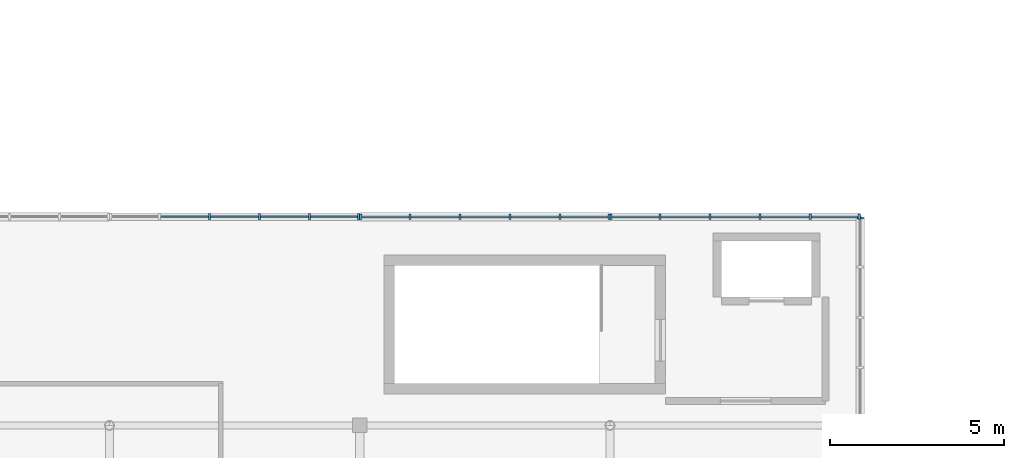
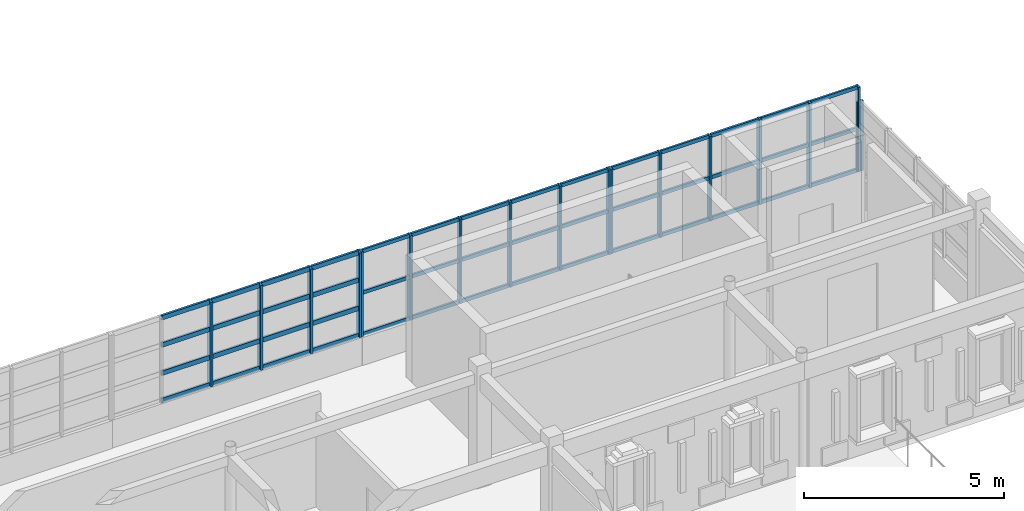
# One storey, part 13 of 46: 63 members, 4 elements without a shape of their own.
"""IFC4 building model written with IfcOpenShell, lengths in metres."""

from ifc_helpers import new_model, si_unit, direction, frame, origin, origin_2d, place, context, subcontext, project, spatial, rectangle, extrude, material, material_profile, profile_set, type_object, element, aggregate, save


model = new_model("IFC4")

# Units and contexts
model_context = context("Model", 3, precision=1e-05, world=origin(), true_north=direction((0.0, 1.0)))
body_context = subcontext(model_context, "Body", "Model", "MODEL_VIEW")
ifc_project = project(units=[si_unit("LENGTHUNIT", "METRE"), si_unit("AREAUNIT", "SQUARE_METRE"), si_unit("VOLUMEUNIT", "CUBIC_METRE"), si_unit("PLANEANGLEUNIT", "RADIAN"), si_unit("MASSUNIT", "GRAM", prefix="KILO")], contexts=[model_context])

# Site, building, storey
site_placement = place(None, origin())
site = spatial("IfcSite", under=ifc_project, at=site_placement, CompositionType="ELEMENT")
building_placement = place(site_placement, origin())
building = spatial("IfcBuilding", under=site, at=building_placement, Name="Nzembalo Square Collegiate School", CompositionType="ELEMENT")
storey_placement = place(building_placement, frame((0.0, 0.0, 17.340087890625)))
storey = spatial("IfcBuildingStorey", under=building, at=storey_placement, Name="L04", CompositionType="ELEMENT", Elevation=17.340087890625)

# Curtain wall, members
ifc_material_1 = material(Name="Aluminium 6060-T66", Category="aluminium")
curtain_wall_type_1 = type_object("IfcCurtainWallType", Name="CW-10", PredefinedType="USERDEFINED", material=ifc_material_1)
curtain_wall_1_placement = place(storey_placement, origin())
curtain_wall_1 = element("IfcCurtainWall", 1, at=curtain_wall_1_placement, inside=storey, type_object=curtain_wall_type_1, Name="Curtain wall CW-10 cw:L04:149", ObjectType="UNITISED", PredefinedType="USERDEFINED")
ifc_material_2 = material(Name="Aluminium 6060-T66", Category="aluminium")
ifc_material_profile_1 = material_profile(ifc_material_2, rectangle(XDim=0.06005859375, YDim=0.179931640625, at=origin_2d()), Name="ALU M60x180")
ifc_profile_set_1 = profile_set([ifc_material_profile_1], Name="Aluminium 6060-T66")
member_type_1 = type_object("IfcMemberType", Name="ML01", PredefinedType="MULLION", material=ifc_profile_set_1)
member_1_placement = place(storey_placement, frame((18.47998046875, 88.800048828125, 0.849853515625), z_axis=(0.0, 0.0, 1.0), x_axis=(1.0, 0.0, 0.0)))
member_1 = element("IfcMember", 2, at=member_1_placement, type_object=member_type_1, Name="ML01 mullion 3", PredefinedType="MULLION", context=body_context, shape_type="SweptSolid", body=[
    extrude(rectangle(XDim=0.06005859375, YDim=0.179931640625, at=origin_2d()), origin(), (0.0, 0.0, 1.0), 2.583984375),
])
member_2_placement = place(storey_placement, frame((19.919921875, 88.800048828125, 0.849853515625), z_axis=(0.0, 0.0, 1.0), x_axis=(1.0, 0.0, 0.0)))
member_2 = element("IfcMember", 3, at=member_2_placement, type_object=member_type_1, Name="ML01 mullion 4", PredefinedType="MULLION", context=body_context, shape_type="SweptSolid", body=[
    extrude(rectangle(XDim=0.06005859375, YDim=0.179931640625, at=origin_2d()), origin(), (0.0, 0.0, 1.0), 2.583984375),
])
member_3_placement = place(storey_placement, frame((21.360107421875, 88.800048828125, 0.849853515625), z_axis=(0.0, 0.0, 1.0), x_axis=(1.0, 0.0, 0.0)))
member_3 = element("IfcMember", 4, at=member_3_placement, type_object=member_type_1, Name="ML01 mullion 5", PredefinedType="MULLION", context=body_context, shape_type="SweptSolid", body=[
    extrude(rectangle(XDim=0.06005859375, YDim=0.179931640625, at=origin_2d()), origin(), (0.0, 0.0, 1.0), 2.583984375),
])
member_4_placement = place(storey_placement, frame((22.77001953125, 88.800048828125, 0.849853515625), z_axis=(0.0, 0.0, 1.0), x_axis=(1.0, 0.0, 0.0)))
member_4 = element("IfcMember", 5, at=member_4_placement, type_object=member_type_1, Name="ML01 mullion 6", PredefinedType="MULLION", context=body_context, shape_type="SweptSolid", body=[
    extrude(rectangle(XDim=0.06005859375, YDim=0.179931640625, at=origin_2d()), origin(), (0.0, 0.0, 1.0), 2.583984375),
])

# Curtain wall, member
ifc_material_3 = material(Name="Aluminium 6060-T66", Category="aluminium")
curtain_wall_type_2 = type_object("IfcCurtainWallType", Name="CW-01", PredefinedType="USERDEFINED", material=ifc_material_3)
curtain_wall_2_placement = place(storey_placement, origin())
curtain_wall_2 = element("IfcCurtainWall", 6, at=curtain_wall_2_placement, inside=storey, type_object=curtain_wall_type_2, Name="Curtain wall CW-01 cw:L04:152", ObjectType="UNITISED", PredefinedType="USERDEFINED")
member_5_placement = place(storey_placement, frame((37.199951171875, 88.77001953125, 0.849853515625), z_axis=(0.0, 0.0, 1.0), x_axis=(0.0, 1.0, 0.0)))
member_5 = element("IfcMember", 7, at=member_5_placement, type_object=member_type_1, Name="ML01 mullion 5", PredefinedType="MULLION", context=body_context, shape_type="SweptSolid", body=[
    extrude(rectangle(XDim=0.06005859375, YDim=0.179931640625, at=origin_2d()), origin(), (0.0, 0.0, 1.0), 2.129150390625),
])
aggregate(curtain_wall_2, [member_5])

# Curtain wall, members
ifc_material_4 = material(Name="Aluminium 6060-T66", Category="aluminium")
curtain_wall_type_3 = type_object("IfcCurtainWallType", Name="CW-11", PredefinedType="USERDEFINED", material=ifc_material_4)
curtain_wall_3_placement = place(storey_placement, origin())
curtain_wall_3 = element("IfcCurtainWall", 8, at=curtain_wall_3_placement, inside=storey, type_object=curtain_wall_type_3, Name="Curtain wall CW-11 cw:L04:150", ObjectType="LANCET", PredefinedType="USERDEFINED")
ifc_material_5 = material(Name="Aluminium 6060-T66", Category="aluminium")
ifc_material_profile_2 = material_profile(ifc_material_5, rectangle(XDim=0.06005859375, YDim=0.14990234375, at=origin_2d()), Name="ALU M60x150")
ifc_profile_set_2 = profile_set([ifc_material_profile_2], Name="Aluminium 6060-T66")
member_type_2 = type_object("IfcMemberType", Name="ML02", PredefinedType="MULLION", material=ifc_profile_set_2)
member_6_placement = place(storey_placement, frame((22.830078125, 88.800048828125, 0.849853515625), z_axis=(0.0, 0.0, 1.0), x_axis=(1.0, 0.0, 0.0)))
member_6 = element("IfcMember", 9, at=member_6_placement, type_object=member_type_2, Name="ML02 mullion 1", PredefinedType="MULLION", context=body_context, shape_type="SweptSolid", body=[
    extrude(rectangle(XDim=0.06005859375, YDim=0.14990234375, at=origin_2d()), origin(), (0.0, 0.0, 1.0), 2.583984375),
])
member_7_placement = place(storey_placement, frame((24.239990234375, 88.800048828125, 0.849853515625), z_axis=(0.0, 0.0, 1.0), x_axis=(1.0, 0.0, 0.0)))
member_7 = element("IfcMember", 10, at=member_7_placement, type_object=member_type_2, Name="ML02 mullion 2", PredefinedType="MULLION", context=body_context, shape_type="SweptSolid", body=[
    extrude(rectangle(XDim=0.06005859375, YDim=0.14990234375, at=origin_2d()), origin(), (0.0, 0.0, 1.0), 2.583984375),
])
member_8_placement = place(storey_placement, frame((25.679931640625, 88.800048828125, 0.849853515625), z_axis=(0.0, 0.0, 1.0), x_axis=(1.0, 0.0, 0.0)))
member_8 = element("IfcMember", 11, at=member_8_placement, type_object=member_type_2, Name="ML02 mullion 3", PredefinedType="MULLION", context=body_context, shape_type="SweptSolid", body=[
    extrude(rectangle(XDim=0.06005859375, YDim=0.14990234375, at=origin_2d()), origin(), (0.0, 0.0, 1.0), 2.583984375),
])
member_9_placement = place(storey_placement, frame((27.1201171875, 88.800048828125, 0.849853515625), z_axis=(0.0, 0.0, 1.0), x_axis=(1.0, 0.0, 0.0)))
member_9 = element("IfcMember", 12, at=member_9_placement, type_object=member_type_2, Name="ML02 mullion 4", PredefinedType="MULLION", context=body_context, shape_type="SweptSolid", body=[
    extrude(rectangle(XDim=0.06005859375, YDim=0.14990234375, at=origin_2d()), origin(), (0.0, 0.0, 1.0), 2.583984375),
])
member_10_placement = place(storey_placement, frame((28.56005859375, 88.800048828125, 0.849853515625), z_axis=(0.0, 0.0, 1.0), x_axis=(1.0, 0.0, 0.0)))
member_10 = element("IfcMember", 13, at=member_10_placement, type_object=member_type_2, Name="ML02 mullion 5", PredefinedType="MULLION", context=body_context, shape_type="SweptSolid", body=[
    extrude(rectangle(XDim=0.06005859375, YDim=0.14990234375, at=origin_2d()), origin(), (0.0, 0.0, 1.0), 2.583984375),
])
member_11_placement = place(storey_placement, frame((29.969970703125, 88.800048828125, 0.849853515625), z_axis=(0.0, 0.0, 1.0), x_axis=(1.0, 0.0, 0.0)))
member_11 = element("IfcMember", 14, at=member_11_placement, type_object=member_type_2, Name="ML02 mullion 6", PredefinedType="MULLION", context=body_context, shape_type="SweptSolid", body=[
    extrude(rectangle(XDim=0.06005859375, YDim=0.14990234375, at=origin_2d()), origin(), (0.0, 0.0, 1.0), 2.583984375),
])

ifc_material_6 = material(Name="Aluminium 6060-T66", Category="aluminium")
curtain_wall_type_4 = type_object("IfcCurtainWallType", Name="CW-12", PredefinedType="USERDEFINED", material=ifc_material_6)
curtain_wall_4_placement = place(storey_placement, origin())
curtain_wall_4 = element("IfcCurtainWall", 15, at=curtain_wall_4_placement, inside=storey, type_object=curtain_wall_type_4, Name="Curtain wall CW-12 cw:L04:151", ObjectType="LANCET", PredefinedType="USERDEFINED")
member_12_placement = place(storey_placement, frame((30.030029296875, 88.800048828125, 0.849853515625), z_axis=(0.0, 0.0, 1.0), x_axis=(1.0, 0.0, 0.0)))
member_12 = element("IfcMember", 16, at=member_12_placement, type_object=member_type_2, Name="ML02 mullion 1", PredefinedType="MULLION", context=body_context, shape_type="SweptSolid", body=[
    extrude(rectangle(XDim=0.06005859375, YDim=0.14990234375, at=origin_2d()), origin(), (0.0, 0.0, 1.0), 2.583984375),
])
member_13_placement = place(storey_placement, frame((31.43994140625, 88.800048828125, 0.849853515625), z_axis=(0.0, 0.0, 1.0), x_axis=(1.0, 0.0, 0.0)))
member_13 = element("IfcMember", 17, at=member_13_placement, type_object=member_type_2, Name="ML02 mullion 2", PredefinedType="MULLION", context=body_context, shape_type="SweptSolid", body=[
    extrude(rectangle(XDim=0.06005859375, YDim=0.14990234375, at=origin_2d()), origin(), (0.0, 0.0, 1.0), 2.583984375),
])
member_14_placement = place(storey_placement, frame((32.8798828125, 88.800048828125, 0.849853515625), z_axis=(0.0, 0.0, 1.0), x_axis=(1.0, 0.0, 0.0)))
member_14 = element("IfcMember", 18, at=member_14_placement, type_object=member_type_2, Name="ML02 mullion 3", PredefinedType="MULLION", context=body_context, shape_type="SweptSolid", body=[
    extrude(rectangle(XDim=0.06005859375, YDim=0.14990234375, at=origin_2d()), origin(), (0.0, 0.0, 1.0), 2.583984375),
])
member_15_placement = place(storey_placement, frame((34.320068359375, 88.800048828125, 0.849853515625), z_axis=(0.0, 0.0, 1.0), x_axis=(1.0, 0.0, 0.0)))
member_15 = element("IfcMember", 19, at=member_15_placement, type_object=member_type_2, Name="ML02 mullion 4", PredefinedType="MULLION", context=body_context, shape_type="SweptSolid", body=[
    extrude(rectangle(XDim=0.06005859375, YDim=0.14990234375, at=origin_2d()), origin(), (0.0, 0.0, 1.0), 2.583984375),
])
member_16_placement = place(storey_placement, frame((35.760009765625, 88.800048828125, 0.849853515625), z_axis=(0.0, 0.0, 1.0), x_axis=(1.0, 0.0, 0.0)))
member_16 = element("IfcMember", 20, at=member_16_placement, type_object=member_type_2, Name="ML02 mullion 5", PredefinedType="MULLION", context=body_context, shape_type="SweptSolid", body=[
    extrude(rectangle(XDim=0.06005859375, YDim=0.14990234375, at=origin_2d()), origin(), (0.0, 0.0, 1.0), 2.583984375),
])
member_17_placement = place(storey_placement, frame((37.169921875, 88.800048828125, 0.849853515625), z_axis=(0.0, 0.0, 1.0), x_axis=(1.0, 0.0, 0.0)))
member_17 = element("IfcMember", 21, at=member_17_placement, type_object=member_type_2, Name="ML02 mullion 6", PredefinedType="MULLION", context=body_context, shape_type="SweptSolid", body=[
    extrude(rectangle(XDim=0.06005859375, YDim=0.14990234375, at=origin_2d()), origin(), (0.0, 0.0, 1.0), 2.583984375),
])

# Member
ifc_material_7 = material(Name="Aluminium 6060-T66", Category="aluminium")
ifc_material_profile_3 = material_profile(ifc_material_7, rectangle(XDim=0.06005859375, YDim=0.139892578125, at=origin_2d()), Name="ALU T60x140")
ifc_profile_set_3 = profile_set([ifc_material_profile_3], Name="Aluminium 6060-T66")
member_type_3 = type_object("IfcMemberType", Name="TR01", PredefinedType="USERDEFINED", material=ifc_profile_set_3)
member_18_placement = place(storey_placement, frame((17.070068359375, 88.800048828125, 0.8798828125), z_axis=(1.0, 0.0, 0.0), x_axis=(0.0, 1.0, 0.0)))
member_18 = element("IfcMember", 22, at=member_18_placement, type_object=member_type_3, Name="TR01 transom 1-2", ObjectType="TRANSOM", PredefinedType="USERDEFINED", context=body_context, shape_type="SweptSolid", body=[
    extrude(rectangle(XDim=0.06005859375, YDim=0.139892578125, at=origin_2d()), origin(), (0.0, 0.0, 1.0), 1.3798828125),
])

member_19_placement = place(storey_placement, frame((18.510009765625, 88.800048828125, 0.8798828125), z_axis=(1.0, 0.0, 0.0), x_axis=(0.0, 1.0, 0.0)))
member_19 = element("IfcMember", 23, at=member_19_placement, type_object=member_type_3, Name="TR01 transom 1-3", ObjectType="TRANSOM", PredefinedType="USERDEFINED", context=body_context, shape_type="SweptSolid", body=[
    extrude(rectangle(XDim=0.06005859375, YDim=0.139892578125, at=origin_2d()), origin(), (0.0, 0.0, 1.0), 1.3798828125),
])

member_20_placement = place(storey_placement, frame((19.949951171875, 88.800048828125, 0.8798828125), z_axis=(1.0, 0.0, 0.0), x_axis=(0.0, 1.0, 0.0)))
member_20 = element("IfcMember", 24, at=member_20_placement, type_object=member_type_3, Name="TR01 transom 1-4", ObjectType="TRANSOM", PredefinedType="USERDEFINED", context=body_context, shape_type="SweptSolid", body=[
    extrude(rectangle(XDim=0.06005859375, YDim=0.139892578125, at=origin_2d()), origin(), (0.0, 0.0, 1.0), 1.380126953125),
])

member_21_placement = place(storey_placement, frame((21.389892578125, 88.800048828125, 0.8798828125), z_axis=(1.0, 0.0, 0.0), x_axis=(0.0, 1.0, 0.0)))
member_21 = element("IfcMember", 25, at=member_21_placement, type_object=member_type_3, Name="TR01 transom 1-5", ObjectType="TRANSOM", PredefinedType="USERDEFINED", context=body_context, shape_type="SweptSolid", body=[
    extrude(rectangle(XDim=0.06005859375, YDim=0.139892578125, at=origin_2d()), origin(), (0.0, 0.0, 1.0), 1.35009765625),
])

member_22_placement = place(storey_placement, frame((17.070068359375, 88.800048828125, 1.711181640625), z_axis=(1.0, 0.0, 0.0), x_axis=(0.0, 1.0, 0.0)))
member_22 = element("IfcMember", 26, at=member_22_placement, type_object=member_type_3, Name="TR01 transom 2-2", ObjectType="TRANSOM", PredefinedType="USERDEFINED", context=body_context, shape_type="SweptSolid", body=[
    extrude(rectangle(XDim=0.06005859375, YDim=0.139892578125, at=origin_2d()), origin(), (0.0, 0.0, 1.0), 1.3798828125),
])

member_23_placement = place(storey_placement, frame((18.510009765625, 88.800048828125, 1.711181640625), z_axis=(1.0, 0.0, 0.0), x_axis=(0.0, 1.0, 0.0)))
member_23 = element("IfcMember", 27, at=member_23_placement, type_object=member_type_3, Name="TR01 transom 2-3", ObjectType="TRANSOM", PredefinedType="USERDEFINED", context=body_context, shape_type="SweptSolid", body=[
    extrude(rectangle(XDim=0.06005859375, YDim=0.139892578125, at=origin_2d()), origin(), (0.0, 0.0, 1.0), 1.3798828125),
])

member_24_placement = place(storey_placement, frame((19.949951171875, 88.800048828125, 1.711181640625), z_axis=(1.0, 0.0, 0.0), x_axis=(0.0, 1.0, 0.0)))
member_24 = element("IfcMember", 28, at=member_24_placement, type_object=member_type_3, Name="TR01 transom 2-4", ObjectType="TRANSOM", PredefinedType="USERDEFINED", context=body_context, shape_type="SweptSolid", body=[
    extrude(rectangle(XDim=0.06005859375, YDim=0.139892578125, at=origin_2d()), origin(), (0.0, 0.0, 1.0), 1.380126953125),
])

member_25_placement = place(storey_placement, frame((21.389892578125, 88.800048828125, 1.711181640625), z_axis=(1.0, 0.0, 0.0), x_axis=(0.0, 1.0, 0.0)))
member_25 = element("IfcMember", 29, at=member_25_placement, type_object=member_type_3, Name="TR01 transom 2-5", ObjectType="TRANSOM", PredefinedType="USERDEFINED", context=body_context, shape_type="SweptSolid", body=[
    extrude(rectangle(XDim=0.06005859375, YDim=0.139892578125, at=origin_2d()), origin(), (0.0, 0.0, 1.0), 1.35009765625),
])

member_26_placement = place(storey_placement, frame((17.070068359375, 88.800048828125, 2.572509765625), z_axis=(1.0, 0.0, 0.0), x_axis=(0.0, 1.0, 0.0)))
member_26 = element("IfcMember", 30, at=member_26_placement, type_object=member_type_3, Name="TR01 transom 3-2", ObjectType="TRANSOM", PredefinedType="USERDEFINED", context=body_context, shape_type="SweptSolid", body=[
    extrude(rectangle(XDim=0.06005859375, YDim=0.139892578125, at=origin_2d()), origin(), (0.0, 0.0, 1.0), 1.3798828125),
])

member_27_placement = place(storey_placement, frame((18.510009765625, 88.800048828125, 2.572509765625), z_axis=(1.0, 0.0, 0.0), x_axis=(0.0, 1.0, 0.0)))
member_27 = element("IfcMember", 31, at=member_27_placement, type_object=member_type_3, Name="TR01 transom 3-3", ObjectType="TRANSOM", PredefinedType="USERDEFINED", context=body_context, shape_type="SweptSolid", body=[
    extrude(rectangle(XDim=0.06005859375, YDim=0.139892578125, at=origin_2d()), origin(), (0.0, 0.0, 1.0), 1.3798828125),
])

member_28_placement = place(storey_placement, frame((19.949951171875, 88.800048828125, 2.572509765625), z_axis=(1.0, 0.0, 0.0), x_axis=(0.0, 1.0, 0.0)))
member_28 = element("IfcMember", 32, at=member_28_placement, type_object=member_type_3, Name="TR01 transom 3-4", ObjectType="TRANSOM", PredefinedType="USERDEFINED", context=body_context, shape_type="SweptSolid", body=[
    extrude(rectangle(XDim=0.06005859375, YDim=0.139892578125, at=origin_2d()), origin(), (0.0, 0.0, 1.0), 1.380126953125),
])

member_29_placement = place(storey_placement, frame((21.389892578125, 88.800048828125, 2.572509765625), z_axis=(1.0, 0.0, 0.0), x_axis=(0.0, 1.0, 0.0)))
member_29 = element("IfcMember", 33, at=member_29_placement, type_object=member_type_3, Name="TR01 transom 3-5", ObjectType="TRANSOM", PredefinedType="USERDEFINED", context=body_context, shape_type="SweptSolid", body=[
    extrude(rectangle(XDim=0.06005859375, YDim=0.139892578125, at=origin_2d()), origin(), (0.0, 0.0, 1.0), 1.35009765625),
])

member_30_placement = place(storey_placement, frame((17.070068359375, 88.800048828125, 3.40380859375), z_axis=(1.0, 0.0, 0.0), x_axis=(0.0, 1.0, 0.0)))
member_30 = element("IfcMember", 34, at=member_30_placement, type_object=member_type_3, Name="TR01 transom 4-2", ObjectType="TRANSOM", PredefinedType="USERDEFINED", context=body_context, shape_type="SweptSolid", body=[
    extrude(rectangle(XDim=0.06005859375, YDim=0.139892578125, at=origin_2d()), origin(), (0.0, 0.0, 1.0), 1.3798828125),
])

member_31_placement = place(storey_placement, frame((18.510009765625, 88.800048828125, 3.40380859375), z_axis=(1.0, 0.0, 0.0), x_axis=(0.0, 1.0, 0.0)))
member_31 = element("IfcMember", 35, at=member_31_placement, type_object=member_type_3, Name="TR01 transom 4-3", ObjectType="TRANSOM", PredefinedType="USERDEFINED", context=body_context, shape_type="SweptSolid", body=[
    extrude(rectangle(XDim=0.06005859375, YDim=0.139892578125, at=origin_2d()), origin(), (0.0, 0.0, 1.0), 1.3798828125),
])

member_32_placement = place(storey_placement, frame((19.949951171875, 88.800048828125, 3.40380859375), z_axis=(1.0, 0.0, 0.0), x_axis=(0.0, 1.0, 0.0)))
member_32 = element("IfcMember", 36, at=member_32_placement, type_object=member_type_3, Name="TR01 transom 4-4", ObjectType="TRANSOM", PredefinedType="USERDEFINED", context=body_context, shape_type="SweptSolid", body=[
    extrude(rectangle(XDim=0.06005859375, YDim=0.139892578125, at=origin_2d()), origin(), (0.0, 0.0, 1.0), 1.380126953125),
])

member_33_placement = place(storey_placement, frame((21.389892578125, 88.800048828125, 3.40380859375), z_axis=(1.0, 0.0, 0.0), x_axis=(0.0, 1.0, 0.0)))
member_33 = element("IfcMember", 37, at=member_33_placement, type_object=member_type_3, Name="TR01 transom 4-5", ObjectType="TRANSOM", PredefinedType="USERDEFINED", context=body_context, shape_type="SweptSolid", body=[
    extrude(rectangle(XDim=0.06005859375, YDim=0.139892578125, at=origin_2d()), origin(), (0.0, 0.0, 1.0), 1.35009765625),
])

aggregate(curtain_wall_1, [member_1, member_2, member_3, member_4, member_18, member_19, member_20, member_21, member_22, member_23, member_24, member_25, member_26, member_27, member_28, member_29, member_30, member_31, member_32, member_33])

ifc_material_8 = material(Name="Aluminium 6060-T66", Category="aluminium")
ifc_material_profile_4 = material_profile(ifc_material_8, rectangle(XDim=0.06005859375, YDim=0.110107421875, at=origin_2d()), Name="ALU T60x110")
ifc_profile_set_4 = profile_set([ifc_material_profile_4], Name="Aluminium 6060-T66")
member_type_4 = type_object("IfcMemberType", Name="TR02", PredefinedType="USERDEFINED", material=ifc_profile_set_4)
member_34_placement = place(storey_placement, frame((22.860107421875, 88.800048828125, 0.8798828125), z_axis=(1.0, 0.0, 0.0), x_axis=(0.0, 1.0, 0.0)))
member_34 = element("IfcMember", 38, at=member_34_placement, type_object=member_type_4, Name="TR02 transom 1-1", ObjectType="TRANSOM", PredefinedType="USERDEFINED", context=body_context, shape_type="SweptSolid", body=[
    extrude(rectangle(XDim=0.06005859375, YDim=0.110107421875, at=origin_2d()), origin(), (0.0, 0.0, 1.0), 1.349853515625),
])

member_35_placement = place(storey_placement, frame((24.27001953125, 88.800048828125, 0.8798828125), z_axis=(1.0, 0.0, 0.0), x_axis=(0.0, 1.0, 0.0)))
member_35 = element("IfcMember", 39, at=member_35_placement, type_object=member_type_4, Name="TR02 transom 1-2", ObjectType="TRANSOM", PredefinedType="USERDEFINED", context=body_context, shape_type="SweptSolid", body=[
    extrude(rectangle(XDim=0.06005859375, YDim=0.110107421875, at=origin_2d()), origin(), (0.0, 0.0, 1.0), 1.3798828125),
])

member_36_placement = place(storey_placement, frame((25.7099609375, 88.800048828125, 0.8798828125), z_axis=(1.0, 0.0, 0.0), x_axis=(0.0, 1.0, 0.0)))
member_36 = element("IfcMember", 40, at=member_36_placement, type_object=member_type_4, Name="TR02 transom 1-3", ObjectType="TRANSOM", PredefinedType="USERDEFINED", context=body_context, shape_type="SweptSolid", body=[
    extrude(rectangle(XDim=0.06005859375, YDim=0.110107421875, at=origin_2d()), origin(), (0.0, 0.0, 1.0), 1.380126953125),
])

member_37_placement = place(storey_placement, frame((27.14990234375, 88.800048828125, 0.8798828125), z_axis=(1.0, 0.0, 0.0), x_axis=(0.0, 1.0, 0.0)))
member_37 = element("IfcMember", 41, at=member_37_placement, type_object=member_type_4, Name="TR02 transom 1-4", ObjectType="TRANSOM", PredefinedType="USERDEFINED", context=body_context, shape_type="SweptSolid", body=[
    extrude(rectangle(XDim=0.06005859375, YDim=0.110107421875, at=origin_2d()), origin(), (0.0, 0.0, 1.0), 1.380126953125),
])

member_38_placement = place(storey_placement, frame((28.590087890625, 88.800048828125, 0.8798828125), z_axis=(1.0, 0.0, 0.0), x_axis=(0.0, 1.0, 0.0)))
member_38 = element("IfcMember", 42, at=member_38_placement, type_object=member_type_4, Name="TR02 transom 1-5", ObjectType="TRANSOM", PredefinedType="USERDEFINED", context=body_context, shape_type="SweptSolid", body=[
    extrude(rectangle(XDim=0.06005859375, YDim=0.110107421875, at=origin_2d()), origin(), (0.0, 0.0, 1.0), 1.349853515625),
])

member_39_placement = place(storey_placement, frame((22.860107421875, 88.800048828125, 2.141845703125), z_axis=(1.0, 0.0, 0.0), x_axis=(0.0, 1.0, 0.0)))
member_39 = element("IfcMember", 43, at=member_39_placement, type_object=member_type_4, Name="TR02 transom 2-1", ObjectType="TRANSOM", PredefinedType="USERDEFINED", context=body_context, shape_type="SweptSolid", body=[
    extrude(rectangle(XDim=0.06005859375, YDim=0.110107421875, at=origin_2d()), origin(), (0.0, 0.0, 1.0), 1.349853515625),
])

member_40_placement = place(storey_placement, frame((24.27001953125, 88.800048828125, 2.141845703125), z_axis=(1.0, 0.0, 0.0), x_axis=(0.0, 1.0, 0.0)))
member_40 = element("IfcMember", 44, at=member_40_placement, type_object=member_type_4, Name="TR02 transom 2-2", ObjectType="TRANSOM", PredefinedType="USERDEFINED", context=body_context, shape_type="SweptSolid", body=[
    extrude(rectangle(XDim=0.06005859375, YDim=0.110107421875, at=origin_2d()), origin(), (0.0, 0.0, 1.0), 1.3798828125),
])

member_41_placement = place(storey_placement, frame((25.7099609375, 88.800048828125, 2.141845703125), z_axis=(1.0, 0.0, 0.0), x_axis=(0.0, 1.0, 0.0)))
member_41 = element("IfcMember", 45, at=member_41_placement, type_object=member_type_4, Name="TR02 transom 2-3", ObjectType="TRANSOM", PredefinedType="USERDEFINED", context=body_context, shape_type="SweptSolid", body=[
    extrude(rectangle(XDim=0.06005859375, YDim=0.110107421875, at=origin_2d()), origin(), (0.0, 0.0, 1.0), 1.380126953125),
])

member_42_placement = place(storey_placement, frame((27.14990234375, 88.800048828125, 2.141845703125), z_axis=(1.0, 0.0, 0.0), x_axis=(0.0, 1.0, 0.0)))
member_42 = element("IfcMember", 46, at=member_42_placement, type_object=member_type_4, Name="TR02 transom 2-4", ObjectType="TRANSOM", PredefinedType="USERDEFINED", context=body_context, shape_type="SweptSolid", body=[
    extrude(rectangle(XDim=0.06005859375, YDim=0.110107421875, at=origin_2d()), origin(), (0.0, 0.0, 1.0), 1.380126953125),
])

member_43_placement = place(storey_placement, frame((28.590087890625, 88.800048828125, 2.141845703125), z_axis=(1.0, 0.0, 0.0), x_axis=(0.0, 1.0, 0.0)))
member_43 = element("IfcMember", 47, at=member_43_placement, type_object=member_type_4, Name="TR02 transom 2-5", ObjectType="TRANSOM", PredefinedType="USERDEFINED", context=body_context, shape_type="SweptSolid", body=[
    extrude(rectangle(XDim=0.06005859375, YDim=0.110107421875, at=origin_2d()), origin(), (0.0, 0.0, 1.0), 1.349853515625),
])

member_44_placement = place(storey_placement, frame((22.860107421875, 88.800048828125, 3.40380859375), z_axis=(1.0, 0.0, 0.0), x_axis=(0.0, 1.0, 0.0)))
member_44 = element("IfcMember", 48, at=member_44_placement, type_object=member_type_4, Name="TR02 transom 3-1", ObjectType="TRANSOM", PredefinedType="USERDEFINED", context=body_context, shape_type="SweptSolid", body=[
    extrude(rectangle(XDim=0.06005859375, YDim=0.110107421875, at=origin_2d()), origin(), (0.0, 0.0, 1.0), 1.349853515625),
])

member_45_placement = place(storey_placement, frame((24.27001953125, 88.800048828125, 3.40380859375), z_axis=(1.0, 0.0, 0.0), x_axis=(0.0, 1.0, 0.0)))
member_45 = element("IfcMember", 49, at=member_45_placement, type_object=member_type_4, Name="TR02 transom 3-2", ObjectType="TRANSOM", PredefinedType="USERDEFINED", context=body_context, shape_type="SweptSolid", body=[
    extrude(rectangle(XDim=0.06005859375, YDim=0.110107421875, at=origin_2d()), origin(), (0.0, 0.0, 1.0), 1.3798828125),
])

member_46_placement = place(storey_placement, frame((25.7099609375, 88.800048828125, 3.40380859375), z_axis=(1.0, 0.0, 0.0), x_axis=(0.0, 1.0, 0.0)))
member_46 = element("IfcMember", 50, at=member_46_placement, type_object=member_type_4, Name="TR02 transom 3-3", ObjectType="TRANSOM", PredefinedType="USERDEFINED", context=body_context, shape_type="SweptSolid", body=[
    extrude(rectangle(XDim=0.06005859375, YDim=0.110107421875, at=origin_2d()), origin(), (0.0, 0.0, 1.0), 1.380126953125),
])

member_47_placement = place(storey_placement, frame((27.14990234375, 88.800048828125, 3.40380859375), z_axis=(1.0, 0.0, 0.0), x_axis=(0.0, 1.0, 0.0)))
member_47 = element("IfcMember", 51, at=member_47_placement, type_object=member_type_4, Name="TR02 transom 3-4", ObjectType="TRANSOM", PredefinedType="USERDEFINED", context=body_context, shape_type="SweptSolid", body=[
    extrude(rectangle(XDim=0.06005859375, YDim=0.110107421875, at=origin_2d()), origin(), (0.0, 0.0, 1.0), 1.380126953125),
])

member_48_placement = place(storey_placement, frame((28.590087890625, 88.800048828125, 3.40380859375), z_axis=(1.0, 0.0, 0.0), x_axis=(0.0, 1.0, 0.0)))
member_48 = element("IfcMember", 52, at=member_48_placement, type_object=member_type_4, Name="TR02 transom 3-5", ObjectType="TRANSOM", PredefinedType="USERDEFINED", context=body_context, shape_type="SweptSolid", body=[
    extrude(rectangle(XDim=0.06005859375, YDim=0.110107421875, at=origin_2d()), origin(), (0.0, 0.0, 1.0), 1.349853515625),
])

aggregate(curtain_wall_3, [member_6, member_7, member_8, member_9, member_10, member_11, member_34, member_35, member_36, member_37, member_38, member_39, member_40, member_41, member_42, member_43, member_44, member_45, member_46, member_47, member_48])

member_49_placement = place(storey_placement, frame((30.06005859375, 88.800048828125, 0.8798828125), z_axis=(1.0, 0.0, 0.0), x_axis=(0.0, 1.0, 0.0)))
member_49 = element("IfcMember", 53, at=member_49_placement, type_object=member_type_4, Name="TR02 transom 1-1", ObjectType="TRANSOM", PredefinedType="USERDEFINED", context=body_context, shape_type="SweptSolid", body=[
    extrude(rectangle(XDim=0.06005859375, YDim=0.110107421875, at=origin_2d()), origin(), (0.0, 0.0, 1.0), 1.349853515625),
])

member_50_placement = place(storey_placement, frame((31.469970703125, 88.800048828125, 0.8798828125), z_axis=(1.0, 0.0, 0.0), x_axis=(0.0, 1.0, 0.0)))
member_50 = element("IfcMember", 54, at=member_50_placement, type_object=member_type_4, Name="TR02 transom 1-2", ObjectType="TRANSOM", PredefinedType="USERDEFINED", context=body_context, shape_type="SweptSolid", body=[
    extrude(rectangle(XDim=0.06005859375, YDim=0.110107421875, at=origin_2d()), origin(), (0.0, 0.0, 1.0), 1.380126953125),
])

member_51_placement = place(storey_placement, frame((32.909912109375, 88.800048828125, 0.8798828125), z_axis=(1.0, 0.0, 0.0), x_axis=(0.0, 1.0, 0.0)))
member_51 = element("IfcMember", 55, at=member_51_placement, type_object=member_type_4, Name="TR02 transom 1-3", ObjectType="TRANSOM", PredefinedType="USERDEFINED", context=body_context, shape_type="SweptSolid", body=[
    extrude(rectangle(XDim=0.06005859375, YDim=0.110107421875, at=origin_2d()), origin(), (0.0, 0.0, 1.0), 1.380126953125),
])

member_52_placement = place(storey_placement, frame((34.35009765625, 88.800048828125, 0.8798828125), z_axis=(1.0, 0.0, 0.0), x_axis=(0.0, 1.0, 0.0)))
member_52 = element("IfcMember", 56, at=member_52_placement, type_object=member_type_4, Name="TR02 transom 1-4", ObjectType="TRANSOM", PredefinedType="USERDEFINED", context=body_context, shape_type="SweptSolid", body=[
    extrude(rectangle(XDim=0.06005859375, YDim=0.110107421875, at=origin_2d()), origin(), (0.0, 0.0, 1.0), 1.3798828125),
])

member_53_placement = place(storey_placement, frame((35.7900390625, 88.800048828125, 0.8798828125), z_axis=(1.0, 0.0, 0.0), x_axis=(0.0, 1.0, 0.0)))
member_53 = element("IfcMember", 57, at=member_53_placement, type_object=member_type_4, Name="TR02 transom 1-5", ObjectType="TRANSOM", PredefinedType="USERDEFINED", context=body_context, shape_type="SweptSolid", body=[
    extrude(rectangle(XDim=0.06005859375, YDim=0.110107421875, at=origin_2d()), origin(), (0.0, 0.0, 1.0), 1.349853515625),
])

member_54_placement = place(storey_placement, frame((30.06005859375, 88.800048828125, 2.141845703125), z_axis=(1.0, 0.0, 0.0), x_axis=(0.0, 1.0, 0.0)))
member_54 = element("IfcMember", 58, at=member_54_placement, type_object=member_type_4, Name="TR02 transom 2-1", ObjectType="TRANSOM", PredefinedType="USERDEFINED", context=body_context, shape_type="SweptSolid", body=[
    extrude(rectangle(XDim=0.06005859375, YDim=0.110107421875, at=origin_2d()), origin(), (0.0, 0.0, 1.0), 1.349853515625),
])

member_55_placement = place(storey_placement, frame((31.469970703125, 88.800048828125, 2.141845703125), z_axis=(1.0, 0.0, 0.0), x_axis=(0.0, 1.0, 0.0)))
member_55 = element("IfcMember", 59, at=member_55_placement, type_object=member_type_4, Name="TR02 transom 2-2", ObjectType="TRANSOM", PredefinedType="USERDEFINED", context=body_context, shape_type="SweptSolid", body=[
    extrude(rectangle(XDim=0.06005859375, YDim=0.110107421875, at=origin_2d()), origin(), (0.0, 0.0, 1.0), 1.380126953125),
])

member_56_placement = place(storey_placement, frame((32.909912109375, 88.800048828125, 2.141845703125), z_axis=(1.0, 0.0, 0.0), x_axis=(0.0, 1.0, 0.0)))
member_56 = element("IfcMember", 60, at=member_56_placement, type_object=member_type_4, Name="TR02 transom 2-3", ObjectType="TRANSOM", PredefinedType="USERDEFINED", context=body_context, shape_type="SweptSolid", body=[
    extrude(rectangle(XDim=0.06005859375, YDim=0.110107421875, at=origin_2d()), origin(), (0.0, 0.0, 1.0), 1.380126953125),
])

member_57_placement = place(storey_placement, frame((34.35009765625, 88.800048828125, 2.141845703125), z_axis=(1.0, 0.0, 0.0), x_axis=(0.0, 1.0, 0.0)))
member_57 = element("IfcMember", 61, at=member_57_placement, type_object=member_type_4, Name="TR02 transom 2-4", ObjectType="TRANSOM", PredefinedType="USERDEFINED", context=body_context, shape_type="SweptSolid", body=[
    extrude(rectangle(XDim=0.06005859375, YDim=0.110107421875, at=origin_2d()), origin(), (0.0, 0.0, 1.0), 1.3798828125),
])

member_58_placement = place(storey_placement, frame((35.7900390625, 88.800048828125, 2.141845703125), z_axis=(1.0, 0.0, 0.0), x_axis=(0.0, 1.0, 0.0)))
member_58 = element("IfcMember", 62, at=member_58_placement, type_object=member_type_4, Name="TR02 transom 2-5", ObjectType="TRANSOM", PredefinedType="USERDEFINED", context=body_context, shape_type="SweptSolid", body=[
    extrude(rectangle(XDim=0.06005859375, YDim=0.110107421875, at=origin_2d()), origin(), (0.0, 0.0, 1.0), 1.349853515625),
])

member_59_placement = place(storey_placement, frame((30.06005859375, 88.800048828125, 3.40380859375), z_axis=(1.0, 0.0, 0.0), x_axis=(0.0, 1.0, 0.0)))
member_59 = element("IfcMember", 63, at=member_59_placement, type_object=member_type_4, Name="TR02 transom 3-1", ObjectType="TRANSOM", PredefinedType="USERDEFINED", context=body_context, shape_type="SweptSolid", body=[
    extrude(rectangle(XDim=0.06005859375, YDim=0.110107421875, at=origin_2d()), origin(), (0.0, 0.0, 1.0), 1.349853515625),
])

member_60_placement = place(storey_placement, frame((31.469970703125, 88.800048828125, 3.40380859375), z_axis=(1.0, 0.0, 0.0), x_axis=(0.0, 1.0, 0.0)))
member_60 = element("IfcMember", 64, at=member_60_placement, type_object=member_type_4, Name="TR02 transom 3-2", ObjectType="TRANSOM", PredefinedType="USERDEFINED", context=body_context, shape_type="SweptSolid", body=[
    extrude(rectangle(XDim=0.06005859375, YDim=0.110107421875, at=origin_2d()), origin(), (0.0, 0.0, 1.0), 1.380126953125),
])

member_61_placement = place(storey_placement, frame((32.909912109375, 88.800048828125, 3.40380859375), z_axis=(1.0, 0.0, 0.0), x_axis=(0.0, 1.0, 0.0)))
member_61 = element("IfcMember", 65, at=member_61_placement, type_object=member_type_4, Name="TR02 transom 3-3", ObjectType="TRANSOM", PredefinedType="USERDEFINED", context=body_context, shape_type="SweptSolid", body=[
    extrude(rectangle(XDim=0.06005859375, YDim=0.110107421875, at=origin_2d()), origin(), (0.0, 0.0, 1.0), 1.380126953125),
])

member_62_placement = place(storey_placement, frame((34.35009765625, 88.800048828125, 3.40380859375), z_axis=(1.0, 0.0, 0.0), x_axis=(0.0, 1.0, 0.0)))
member_62 = element("IfcMember", 66, at=member_62_placement, type_object=member_type_4, Name="TR02 transom 3-4", ObjectType="TRANSOM", PredefinedType="USERDEFINED", context=body_context, shape_type="SweptSolid", body=[
    extrude(rectangle(XDim=0.06005859375, YDim=0.110107421875, at=origin_2d()), origin(), (0.0, 0.0, 1.0), 1.3798828125),
])

member_63_placement = place(storey_placement, frame((35.7900390625, 88.800048828125, 3.40380859375), z_axis=(1.0, 0.0, 0.0), x_axis=(0.0, 1.0, 0.0)))
member_63 = element("IfcMember", 67, at=member_63_placement, type_object=member_type_4, Name="TR02 transom 3-5", ObjectType="TRANSOM", PredefinedType="USERDEFINED", context=body_context, shape_type="SweptSolid", body=[
    extrude(rectangle(XDim=0.06005859375, YDim=0.110107421875, at=origin_2d()), origin(), (0.0, 0.0, 1.0), 1.349853515625),
])

aggregate(curtain_wall_4, [member_12, member_13, member_14, member_15, member_16, member_17, member_49, member_50, member_51, member_52, member_53, member_54, member_55, member_56, member_57, member_58, member_59, member_60, member_61, member_62, member_63])

save(model, "model.ifc")
